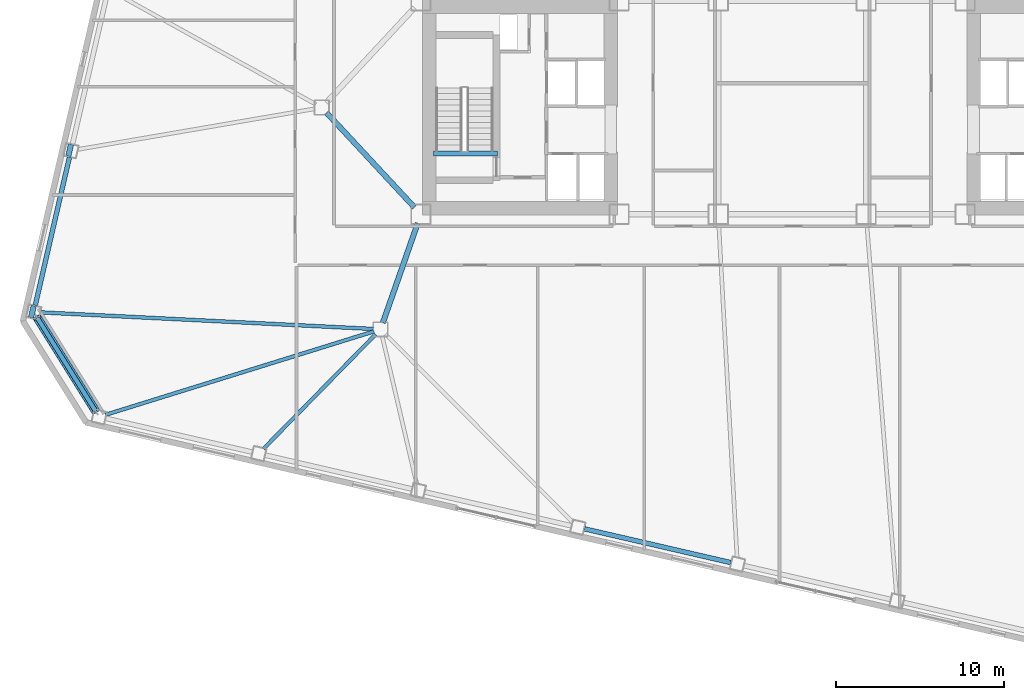
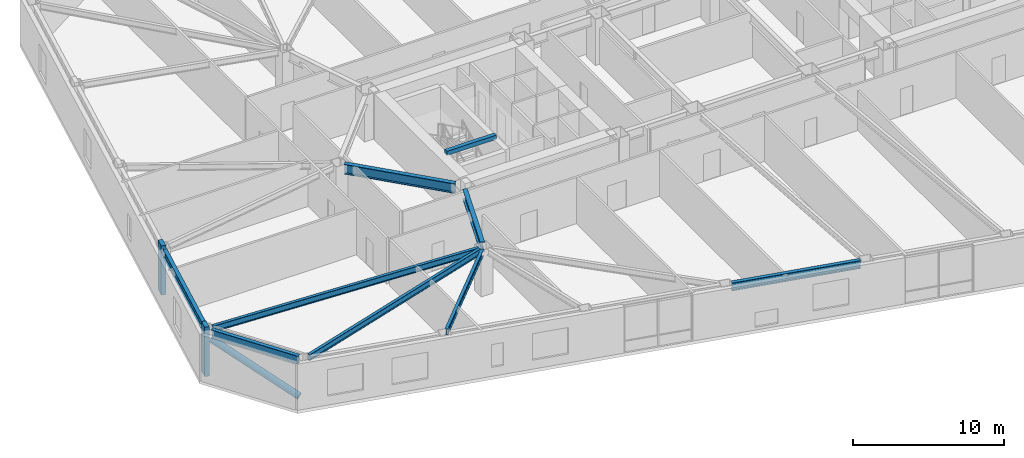
# One storey, part 5 of 20: 9 beams, 3 members.
"""IFC4 building model written with IfcOpenShell, lengths in metres."""

from ifc_helpers import new_model, si_unit, direction, frame, origin, origin_2d, place, context, subcontext, project, spatial, rectangle, hollow_circle, i_section, extrude, material, material_profile, profile_set, type_object, element, save


model = new_model("IFC4")

# Units and contexts
model_context = context("Model", 3, precision=1e-05, world=origin(), true_north=direction((0.0, 1.0)))
body_context = subcontext(model_context, "Body", "Model", "MODEL_VIEW")
ifc_project = project(units=[si_unit("LENGTHUNIT", "METRE"), si_unit("AREAUNIT", "SQUARE_METRE"), si_unit("VOLUMEUNIT", "CUBIC_METRE"), si_unit("PLANEANGLEUNIT", "RADIAN"), si_unit("MASSUNIT", "GRAM", prefix="KILO")], contexts=[model_context])

# Site, building, storey
site_placement = place(None, origin())
site = spatial("IfcSite", under=ifc_project, at=site_placement, CompositionType="ELEMENT")
building_placement = place(site_placement, origin())
building = spatial("IfcBuilding", under=site, at=building_placement, Name="Tavrogorsk Clinical Tower", CompositionType="ELEMENT")
storey_placement = place(building_placement, frame((0.0, 0.0, 67.39990234375)))
storey = spatial("IfcBuildingStorey", under=building, at=storey_placement, Name="L14", CompositionType="ELEMENT", Elevation=67.39990234375)

# Member
ifc_material_1 = material(Name="Structural steel S440", Category="steel")
ifc_material_profile_1 = material_profile(ifc_material_1, hollow_circle(Radius=0.25390625, WallThickness=0.02001953125, at=origin_2d()), Name="CHS-508x20")
ifc_profile_set_1 = profile_set([ifc_material_profile_1], Name="Structural steel S440")
member_type_1 = type_object("IfcMemberType", Name="ExoBrace_CHS508", PredefinedType="BRACE", material=ifc_profile_set_1)
member_placement = place(storey_placement, frame((-41.453857421875, -18.081787109375, 0.442626953125), z_axis=(-0.496582474856, 0.794677778576, 0.349131886118), x_axis=(-0.84804201203, -0.529929000746, 0.0)))
element("IfcMember", 1, at=member_placement, inside=storey, type_object=member_type_1, Name="L14 Corner Exoskeleton Brace W5-S1", PredefinedType="BRACE", context=body_context, shape_type="SweptSolid", body=[
    extrude(hollow_circle(Radius=0.25390625, WallThickness=0.02001953125, at=origin_2d()), origin(), (0.0, 0.0, 1.0), 7.031982421875),
])

# Beams
ifc_material_2 = material(Name="Structural steel S355", Category="steel")
ifc_material_profile_2 = material_profile(ifc_material_2, i_section(OverallWidth=0.219970703125, OverallDepth=0.5, WebThickness=0.012939453125, FlangeThickness=0.02001953125, at=origin_2d()), Name="B-500x220x13x20")
ifc_profile_set_2 = profile_set([ifc_material_profile_2], Name="Structural steel S355")
beam_type_1 = type_object("IfcBeamType", Name="FloorBeam_B500", PredefinedType="BEAM", material=ifc_profile_set_2)
beam_1_placement = place(storey_placement, frame((-24.8916015625, -13.32177734375, 3.489990234375), z_axis=(-0.954946638684, -0.296777555193, 0.0), x_axis=(0.296777555193, -0.954946638684, 0.0)))
element("IfcBeam", 2, at=beam_1_placement, inside=storey, type_object=beam_type_1, Name="L14 Radial Floor Beam S1", PredefinedType="BEAM", context=body_context, shape_type="SweptSolid", body=[
    extrude(i_section(OverallWidth=0.219970703125, OverallDepth=0.5, WebThickness=0.012939453125, FlangeThickness=0.02001953125, at=origin_2d()), origin(), (0.0, 0.0, 1.0), 16.723388671875),
])
beam_2_placement = place(storey_placement, frame((-24.787109375, -13.492919921875, 3.489990234375), z_axis=(-0.699997226081, -0.714145561828, 0.0), x_axis=(0.714145561828, -0.699997226081, 0.0)))
element("IfcBeam", 3, at=beam_2_placement, inside=storey, type_object=beam_type_1, Name="L14 Radial Floor Beam S2", PredefinedType="BEAM", context=body_context, shape_type="SweptSolid", body=[
    extrude(i_section(OverallWidth=0.219970703125, OverallDepth=0.5, WebThickness=0.012939453125, FlangeThickness=0.02001953125, at=origin_2d()), origin(), (0.0, 0.0, 1.0), 9.54248046875),
])
beam_3_placement = place(storey_placement, frame((-24.909423828125, -13.179443359375, 3.489990234375), z_axis=(-0.998757515428, 0.049833978136, 0.0), x_axis=(-0.049833978136, -0.998757515428, 0.0)))
element("IfcBeam", 4, at=beam_3_placement, inside=storey, type_object=beam_type_1, Name="L14 Radial Floor Beam W5", PredefinedType="BEAM", context=body_context, shape_type="SweptSolid", body=[
    extrude(i_section(OverallWidth=0.219970703125, OverallDepth=0.5, WebThickness=0.012939453125, FlangeThickness=0.02001953125, at=origin_2d()), origin(), (0.0, 0.0, 1.0), 19.85595703125),
])

# Members
ifc_material_3 = material(Name="Precast concrete B45 with limestone cladding", Category="masonry")
ifc_material_profile_3 = material_profile(ifc_material_3, rectangle(XDim=0.320068359375, YDim=0.719970703125, at=origin_2d()), Name="LIMESTONE-FIN-320x720")
ifc_profile_set_3 = profile_set([ifc_material_profile_3], Name="Precast concrete B45 with limestone cladding")
member_type_2 = type_object("IfcMemberType", Name="LimestonePleatFin_320x720", PredefinedType="USERDEFINED", material=ifc_profile_set_3)
for number, where, z_axis, x_axis, name in (
    (5, (-43.008056640625, -2.544189453125, 0.0), (0.0, 0.0, 1.0), (0.974370064785, -0.224951054344, 0.0), "L14 W Pleated Stone Fin 3"),
    (6, (-45.226318359375, -12.151611328125, 0.0), (0.0, 0.0, 1.0), (0.974370064785, -0.224951054344, 0.0), "L14 W Pleated Stone Fin 4"),
):
    element("IfcMember", number, at=place(storey_placement, frame(where, z_axis=z_axis, x_axis=x_axis)), inside=storey, type_object=member_type_2, Name=name, ObjectType="FIN", PredefinedType="USERDEFINED", context=body_context, shape_type="SweptSolid", body=[
        extrude(rectangle(XDim=0.320068359375, YDim=0.719970703125, at=origin_2d()), origin(), (0.0, 0.0, 1.0), 4.0),
    ])

# Beams
ifc_material_4 = material(Name="Structural steel S390", Category="steel")
ifc_material_profile_4 = material_profile(ifc_material_4, i_section(OverallWidth=0.320068359375, OverallDepth=0.800048828125, WebThickness=0.02001953125, FlangeThickness=0.033935546875, at=origin_2d()), Name="B-800x320x20x34")
ifc_profile_set_4 = profile_set([ifc_material_profile_4], Name="Structural steel S390")
beam_type_2 = type_object("IfcBeamType", Name="PrimaryGirder_B800", PredefinedType="USERDEFINED", material=ifc_profile_set_4)
beam_4_placement = place(storey_placement, frame((-24.364501953125, -12.81298828125, 3.340087890625), z_axis=(0.330668611543, 0.943746930771, 0.0), x_axis=(-0.943746930771, 0.330668611543, 0.0)))
element("IfcBeam", 7, at=beam_4_placement, inside=storey, type_object=beam_type_2, Name="L14 Spine Link Girder OPG-1", ObjectType="GIRDER", PredefinedType="USERDEFINED", context=body_context, shape_type="SweptSolid", body=[
    extrude(i_section(OverallWidth=0.320068359375, OverallDepth=0.800048828125, WebThickness=0.02001953125, FlangeThickness=0.033935546875, at=origin_2d()), origin(), (0.0, 0.0, 1.0), 6.288330078125),
])
beam_5_placement = place(storey_placement, frame((-27.720947265625, -0.30029296875, 3.340087890625), z_axis=(0.680671250221, -0.732589004233, 0.0), x_axis=(0.732589004233, 0.680671250221, 0.0)))
element("IfcBeam", 8, at=beam_5_placement, inside=storey, type_object=beam_type_2, Name="L14 Spine Link Girder OPG-5", ObjectType="GIRDER", PredefinedType="USERDEFINED", context=body_context, shape_type="SweptSolid", body=[
    extrude(i_section(OverallWidth=0.320068359375, OverallDepth=0.800048828125, WebThickness=0.02001953125, FlangeThickness=0.033935546875, at=origin_2d()), origin(), (0.0, 0.0, 1.0), 7.697998046875),
])
ifc_material_5 = material(Name="Structural steel S390", Category="steel")
ifc_material_profile_5 = material_profile(ifc_material_5, i_section(OverallWidth=0.280029296875, OverallDepth=0.64990234375, WebThickness=0.01611328125, FlangeThickness=0.02490234375, at=origin_2d()), Name="B-650x280x16x25")
ifc_profile_set_5 = profile_set([ifc_material_profile_5], Name="Structural steel S390")
beam_type_3 = type_object("IfcBeamType", Name="SpandrelBeam_B650", PredefinedType="SPANDREL", material=ifc_profile_set_5)
beam_6_placement = place(storey_placement, frame((-12.357666015625, -25.07666015625, 3.4150390625), z_axis=(0.974372766602, -0.224939351168, 0.0), x_axis=(0.224939351168, 0.974372766602, 0.0)))
element("IfcBeam", 9, at=beam_6_placement, inside=storey, type_object=beam_type_3, Name="L14 Perimeter Spandrel S4-S5", PredefinedType="SPANDREL", context=body_context, shape_type="SweptSolid", body=[
    extrude(i_section(OverallWidth=0.280029296875, OverallDepth=0.64990234375, WebThickness=0.01611328125, FlangeThickness=0.02490234375, at=origin_2d()), origin(), (0.0, 0.0, 1.0), 8.9326171875),
])
beam_7_placement = place(storey_placement, frame((-43.02197265625, -2.959716796875, 3.4150390625), z_axis=(-0.224971881043, -0.974365256328, 0.0), x_axis=(0.974365256328, -0.224971881043, 0.0)))
element("IfcBeam", 10, at=beam_7_placement, inside=storey, type_object=beam_type_3, Name="L14 Perimeter Spandrel W4-W5", PredefinedType="SPANDREL", context=body_context, shape_type="SweptSolid", body=[
    extrude(i_section(OverallWidth=0.280029296875, OverallDepth=0.64990234375, WebThickness=0.01611328125, FlangeThickness=0.02490234375, at=origin_2d()), origin(), (0.0, 0.0, 1.0), 9.044189453125),
])
beam_8_placement = place(storey_placement, frame((-44.93212890625, -12.515380859375, 3.4150390625), z_axis=(0.529908311255, -0.848054940238, 0.0), x_axis=(0.848054940238, 0.529908311255, 0.0)))
element("IfcBeam", 11, at=beam_8_placement, inside=storey, type_object=beam_type_3, Name="L14 Perimeter Spandrel W5-S1", PredefinedType="SPANDREL", context=body_context, shape_type="SweptSolid", body=[
    extrude(i_section(OverallWidth=0.280029296875, OverallDepth=0.64990234375, WebThickness=0.01611328125, FlangeThickness=0.02490234375, at=origin_2d()), origin(), (0.0, 0.0, 1.0), 6.5380859375),
])
ifc_material_6 = material(Name="Concrete B60", Category="concrete")
ifc_material_profile_6 = material_profile(ifc_material_6, rectangle(XDim=0.300048828125, YDim=0.35009765625, at=origin_2d()), Name="RC-SHB-300x350")
ifc_profile_set_6 = profile_set([ifc_material_profile_6], Name="Concrete B60")
beam_type_4 = type_object("IfcBeamType", Name="StairHeaderBeam_RC300x350", PredefinedType="BEAM", material=ifc_profile_set_6)
beam_9_placement = place(storey_placement, frame((-21.35009765625, -2.719970703125, 3.8251953125), z_axis=(1.0, 0.0, 0.0), x_axis=(0.0, 1.0, 0.0)))
element("IfcBeam", 12, at=beam_9_placement, inside=storey, type_object=beam_type_4, Name="L15 ST-W Landing Header Beam", PredefinedType="BEAM", context=body_context, shape_type="SweptSolid", body=[
    extrude(rectangle(XDim=0.300048828125, YDim=0.35009765625, at=origin_2d()), origin(), (0.0, 0.0, 1.0), 3.800048828125),
])

save(model, "model.ifc")
